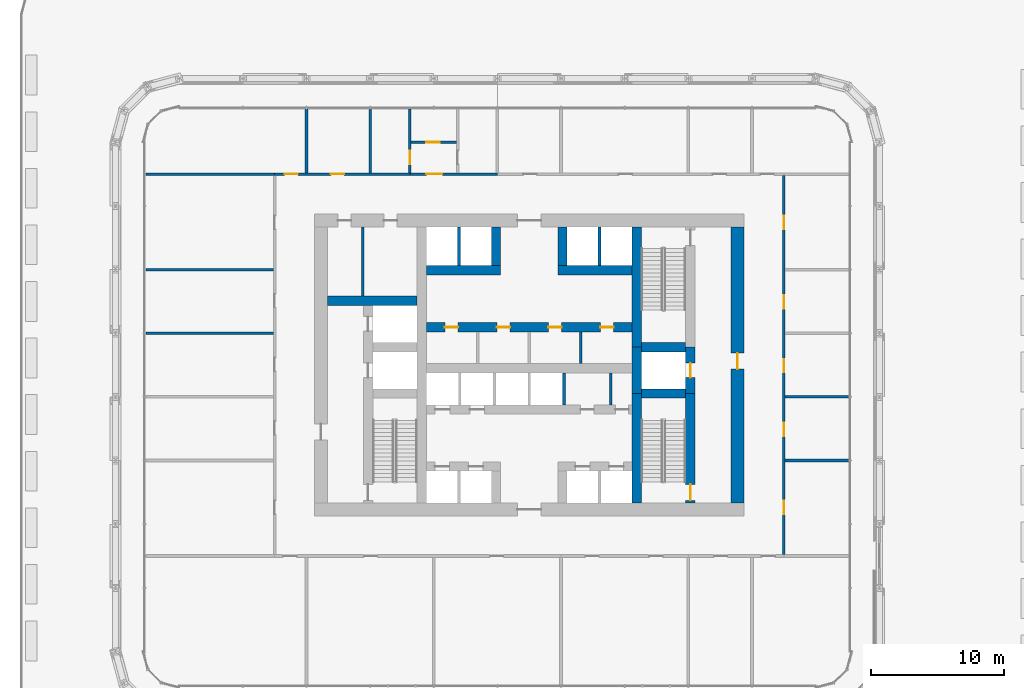
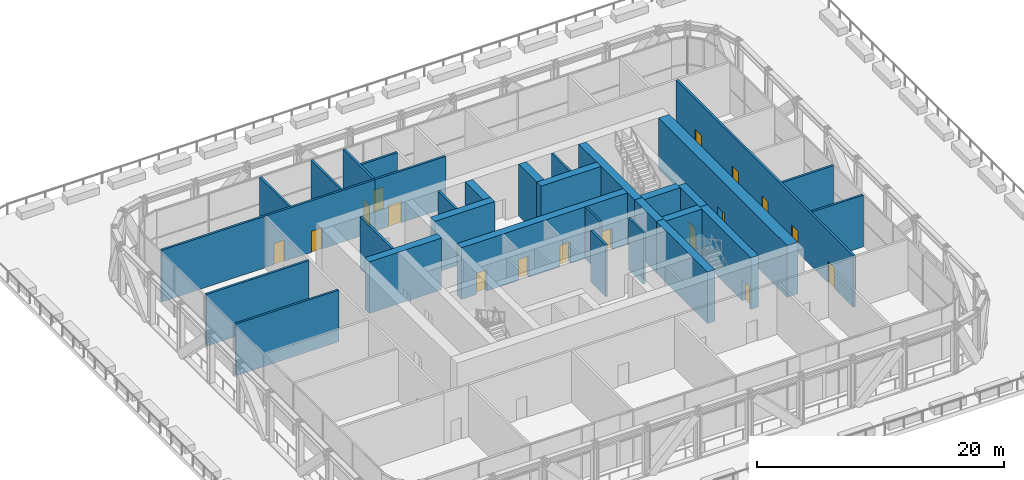
# One storey, part 15 of 22: 32 walls, 17 doors, 17 openings.
"""IFC4 building model written with IfcOpenShell, lengths in metres."""

from ifc_helpers import new_model, si_unit, direction, frame, frame_2d, origin, place, context, subcontext, project, spatial, rectangle, extrude, material, layer, layer_set, type_object, element, fill, save


model = new_model("IFC4")

# Units and contexts
model_context = context("Model", 3, precision=1e-05, world=origin(), true_north=direction((0.0, 1.0)))
body_context = subcontext(model_context, "Body", "Model", "MODEL_VIEW")
ifc_project = project(units=[si_unit("LENGTHUNIT", "METRE"), si_unit("AREAUNIT", "SQUARE_METRE"), si_unit("VOLUMEUNIT", "CUBIC_METRE"), si_unit("PLANEANGLEUNIT", "RADIAN"), si_unit("MASSUNIT", "GRAM", prefix="KILO")], contexts=[model_context])

# Site, building, storey
site_placement = place(None, origin())
site = spatial("IfcSite", under=ifc_project, at=site_placement, CompositionType="ELEMENT")
building_placement = place(site_placement, origin())
building = spatial("IfcBuilding", under=site, at=building_placement, Name="Madar Terraces", CompositionType="ELEMENT")
storey_placement = place(building_placement, frame((0.0, 0.0, 24.0)))
storey = spatial("IfcBuildingStorey", under=building, at=storey_placement, Name="L05", CompositionType="ELEMENT", Elevation=24.0)

# Walls
ifc_material_1 = material(Name="Concrete C80/95", Category="concrete")
ifc_layer_1 = layer(ifc_material_1, 0.699951171875)
ifc_layer_set_1 = layer_set([ifc_layer_1], Name="Concrete C80/95 (CIW1 RC wall 700)")
wall_type_1 = type_object("IfcWallType", Name="CIW1 RC wall 700", PredefinedType="SHEAR", material=ifc_layer_set_1)
wall_1_placement = place(storey_placement, frame((39.300048828125, 16.0, 0.0), z_axis=(0.0, 0.0, 1.0), x_axis=(0.0, 1.0, 0.0)))
element("IfcWall", 1, at=wall_1_placement, inside=storey, type_object=wall_type_1, Name="CORE SHAFT WALL", PredefinedType="SHEAR", context=body_context, shape_type="SweptSolid", body=[
    extrude(rectangle(XDim=8.25, YDim=0.699951171875, at=frame_2d((4.125, 0.0))), origin(), (0.0, 0.0, 1.0), 5.10009765625),
])
wall_2_placement = place(storey_placement, frame((39.300048828125, 24.25, 0.0), z_axis=(0.0, 0.0, 1.0), x_axis=(0.0, 1.0, 0.0)))
element("IfcWall", 2, at=wall_2_placement, inside=storey, type_object=wall_type_1, Name="CORE SHAFT WALL", PredefinedType="SHEAR", context=body_context, shape_type="SweptSolid", body=[
    extrude(rectangle(XDim=3.5, YDim=0.699951171875, at=frame_2d((1.75, 0.0))), origin(), (0.0, 0.0, 1.0), 5.10009765625),
])
wall_3_placement = place(storey_placement, frame((39.300048828125, 27.75, 0.0), z_axis=(0.0, 0.0, 1.0), x_axis=(0.0, 1.0, 0.0)))
element("IfcWall", 3, at=wall_3_placement, inside=storey, type_object=wall_type_1, Name="CORE SHAFT WALL", PredefinedType="SHEAR", context=body_context, shape_type="SweptSolid", body=[
    extrude(rectangle(XDim=9.050048828125, YDim=0.699951171875, at=frame_2d((4.52490234375, 0.0))), origin(), (0.0, 0.0, 1.0), 5.10009765625),
])

# Wall, opening, door
wall_4_placement = place(storey_placement, frame((43.35009765625, 16.0, 0.0), z_axis=(0.0, 0.0, 1.0), x_axis=(0.0, 1.0, 0.0)))
wall_4 = element("IfcWall", 4, at=wall_4_placement, inside=storey, type_object=wall_type_1, Name="CORE SHAFT WALL", PredefinedType="SHEAR", context=body_context, shape_type="SweptSolid", body=[
    extrude(rectangle(XDim=8.25, YDim=0.699951171875, at=frame_2d((4.125, 0.0))), origin(), (0.0, 0.0, 1.0), 5.10009765625),
])
opening_1_placement = place(wall_4_placement, frame((0.199951171875, 0.0, 0.0)))
opening_1 = element("IfcOpeningElement", 5, at=opening_1_placement, cuts=wall_4, Name="Opening SD1", PredefinedType="OPENING", context=body_context, shape_type="SweptSolid", body=[
    extrude(rectangle(XDim=1.199951171875, YDim=2.10009765625, at=frame_2d((0.60009765625, 1.050048828125))), frame((0.0, 0.35986328125, 0.0), z_axis=(0.0, -1.0, 0.0), x_axis=(1.0, 0.0, 0.0)), (0.0, 0.0, 1.0), 0.719970703125),
])
ifc_material_2 = material(Name="Steel door leaf", Category="steel")
door_type_1 = type_object("IfcDoorType", Name="Stair door 1200 x 2100", OperationType="NOTDEFINED", PredefinedType="DOOR", material=ifc_material_2)
door_1_placement = place(opening_1_placement, origin())
door_1 = element("IfcDoor", 6, at=door_1_placement, inside=storey, type_object=door_type_1, Name="STAIR DOOR", OperationType="SINGLE_SWING_RIGHT", OverallHeight=2.10009765625, OverallWidth=1.199951171875, PredefinedType="DOOR", context=body_context, shape_type="SweptSolid", body=[
    extrude(rectangle(XDim=1.199951171875, YDim=2.10009765625, at=frame_2d((0.60009765625, 1.050048828125))), frame((0.0, 0.02490234375, 0.0), z_axis=(0.0, -1.0, 0.0), x_axis=(1.0, 0.0, 0.0)), (0.0, 0.0, 1.0), 0.050048828125),
])
fill(opening_1, door_1)

wall_5_placement = place(storey_placement, frame((43.35009765625, 24.25, 0.0), z_axis=(0.0, 0.0, 1.0), x_axis=(0.0, 1.0, 0.0)))
wall_5 = element("IfcWall", 7, at=wall_5_placement, inside=storey, type_object=wall_type_1, Name="CORE SHAFT WALL", PredefinedType="SHEAR", context=body_context, shape_type="SweptSolid", body=[
    extrude(rectangle(XDim=3.5, YDim=0.699951171875, at=frame_2d((1.75, 0.0))), origin(), (0.0, 0.0, 1.0), 5.10009765625),
])
opening_2_placement = place(wall_5_placement, frame((1.199951171875, 0.0, 0.0)))
opening_2 = element("IfcOpeningElement", 8, at=opening_2_placement, cuts=wall_5, Name="Opening LD", PredefinedType="OPENING", context=body_context, shape_type="SweptSolid", body=[
    extrude(rectangle(XDim=1.10009765625, YDim=2.10009765625, at=frame_2d((0.550048828125, 1.050048828125))), frame((0.0, 0.35986328125, 0.0), z_axis=(0.0, -1.0, 0.0), x_axis=(1.0, 0.0, 0.0)), (0.0, 0.0, 1.0), 0.719970703125),
])
ifc_material_3 = material(Name="Stainless steel panel", Category="steel")
door_type_2 = type_object("IfcDoorType", Name="Lift landing door 1100 x 2100", OperationType="DOUBLE_DOOR_SLIDING", PredefinedType="DOOR", material=ifc_material_3)
door_2_placement = place(opening_2_placement, origin())
door_2 = element("IfcDoor", 9, at=door_2_placement, inside=storey, type_object=door_type_2, Name="LIFT LANDING DOOR", OperationType="DOUBLE_DOOR_SLIDING", OverallHeight=2.10009765625, OverallWidth=1.10009765625, PredefinedType="DOOR", context=body_context, shape_type="SweptSolid", body=[
    extrude(rectangle(XDim=1.10009765625, YDim=2.10009765625, at=frame_2d((0.550048828125, 1.050048828125))), frame((0.0, 0.02490234375, 0.0), z_axis=(0.0, -1.0, 0.0), x_axis=(1.0, 0.0, 0.0)), (0.0, 0.0, 1.0), 0.050048828125),
])
fill(opening_2, door_2)

# Walls
wall_6_placement = place(storey_placement, frame((16.0, 31.25, 0.0), z_axis=(0.0, 0.0, 1.0), x_axis=(1.0, 0.0, 0.0)))
element("IfcWall", 10, at=wall_6_placement, inside=storey, type_object=wall_type_1, Name="CORE SHAFT WALL", PredefinedType="SHEAR", context=body_context, shape_type="SweptSolid", body=[
    extrude(rectangle(XDim=6.75, YDim=0.699951171875, at=frame_2d((3.375, 0.0))), origin(), (0.0, 0.0, 1.0), 5.10009765625),
])
for number, where, z_axis, x_axis, name in (
    (11, (39.64990234375, 24.25, 0.0), (0.0, 0.0, 1.0), (1.0, 0.0, 0.0), "CORE SHAFT WALL"),
    (12, (39.64990234375, 27.75, 0.0), (0.0, 0.0, 1.0), (1.0, 0.0, 0.0), "CORE SHAFT WALL"),
):
    element("IfcWall", number, at=place(storey_placement, frame(where, z_axis=z_axis, x_axis=x_axis)), inside=storey, type_object=wall_type_1, Name=name, PredefinedType="SHEAR", context=body_context, shape_type="SweptSolid", body=[
        extrude(rectangle(XDim=3.35009765625, YDim=0.699951171875, at=frame_2d((1.675048828125, 0.0))), origin(), (0.0, 0.0, 1.0), 5.10009765625),
    ])

# Wall, openings, doors
wall_7_placement = place(storey_placement, frame((23.449951171875, 29.25, 0.0), z_axis=(0.0, 0.0, 1.0), x_axis=(1.0, 0.0, 0.0)))
wall_7 = element("IfcWall", 13, at=wall_7_placement, inside=storey, type_object=wall_type_1, Name="CORE SHAFT WALL", PredefinedType="SHEAR", context=body_context, shape_type="SweptSolid", body=[
    extrude(rectangle(XDim=15.5, YDim=0.699951171875, at=frame_2d((7.75, 0.0))), origin(), (0.0, 0.0, 1.0), 5.10009765625),
])
opening_3_placement = place(wall_7_placement, frame((1.387451171875, 0.0, 0.0)))
opening_3 = element("IfcOpeningElement", 14, at=opening_3_placement, cuts=wall_7, Name="Opening KD2", PredefinedType="OPENING", context=body_context, shape_type="SweptSolid", body=[
    extrude(rectangle(XDim=1.0, YDim=2.10009765625, at=frame_2d((0.5, 1.050048828125))), frame((0.0, 0.35986328125, 0.0), z_axis=(0.0, -1.0, 0.0), x_axis=(1.0, 0.0, 0.0)), (0.0, 0.0, 1.0), 0.719970703125),
])
opening_4_placement = place(wall_7_placement, frame((5.3125, 0.0, 0.0)))
opening_4 = element("IfcOpeningElement", 15, at=opening_4_placement, cuts=wall_7, Name="Opening KD2", PredefinedType="OPENING", context=body_context, shape_type="SweptSolid", body=[
    extrude(rectangle(XDim=1.0, YDim=2.10009765625, at=frame_2d((0.5, 1.050048828125))), frame((0.0, 0.35986328125, 0.0), z_axis=(0.0, -1.0, 0.0), x_axis=(1.0, 0.0, 0.0)), (0.0, 0.0, 1.0), 0.719970703125),
])
opening_5_placement = place(wall_7_placement, frame((9.1875, 0.0, 0.0)))
opening_5 = element("IfcOpeningElement", 16, at=opening_5_placement, cuts=wall_7, Name="Opening KD2", PredefinedType="OPENING", context=body_context, shape_type="SweptSolid", body=[
    extrude(rectangle(XDim=1.0, YDim=2.10009765625, at=frame_2d((0.5, 1.050048828125))), frame((0.0, 0.35986328125, 0.0), z_axis=(0.0, -1.0, 0.0), x_axis=(1.0, 0.0, 0.0)), (0.0, 0.0, 1.0), 0.719970703125),
])
opening_6_placement = place(wall_7_placement, frame((13.112548828125, 0.0, 0.0)))
opening_6 = element("IfcOpeningElement", 17, at=opening_6_placement, cuts=wall_7, Name="Opening KD2", PredefinedType="OPENING", context=body_context, shape_type="SweptSolid", body=[
    extrude(rectangle(XDim=1.0, YDim=2.10009765625, at=frame_2d((0.5, 1.050048828125))), frame((0.0, 0.35986328125, 0.0), z_axis=(0.0, -1.0, 0.0), x_axis=(1.0, 0.0, 0.0)), (0.0, 0.0, 1.0), 0.719970703125),
])
ifc_material_4 = material(Name="Steel door leaf", Category="steel")
door_type_3 = type_object("IfcDoorType", Name="Service room door 1000 x 2100", OperationType="NOTDEFINED", PredefinedType="DOOR", material=ifc_material_4)
door_3_placement = place(opening_3_placement, origin())
door_3 = element("IfcDoor", 18, at=door_3_placement, inside=storey, type_object=door_type_3, Name="SERVICE ROOM DOOR", OperationType="SINGLE_SWING_RIGHT", OverallHeight=2.10009765625, OverallWidth=1.0, PredefinedType="DOOR", context=body_context, shape_type="SweptSolid", body=[
    extrude(rectangle(XDim=1.0, YDim=2.10009765625, at=frame_2d((0.5, 1.050048828125))), frame((0.0, 0.02490234375, 0.0), z_axis=(0.0, -1.0, 0.0), x_axis=(1.0, 0.0, 0.0)), (0.0, 0.0, 1.0), 0.050048828125),
])
fill(opening_3, door_3)
door_4_placement = place(opening_4_placement, origin())
door_4 = element("IfcDoor", 19, at=door_4_placement, inside=storey, type_object=door_type_3, Name="SERVICE ROOM DOOR", OperationType="SINGLE_SWING_LEFT", OverallHeight=2.10009765625, OverallWidth=1.0, PredefinedType="DOOR", context=body_context, shape_type="SweptSolid", body=[
    extrude(rectangle(XDim=1.0, YDim=2.10009765625, at=frame_2d((0.5, 1.050048828125))), frame((0.0, 0.02490234375, 0.0), z_axis=(0.0, -1.0, 0.0), x_axis=(1.0, 0.0, 0.0)), (0.0, 0.0, 1.0), 0.050048828125),
])
fill(opening_4, door_4)
door_5_placement = place(opening_5_placement, origin())
door_5 = element("IfcDoor", 20, at=door_5_placement, inside=storey, type_object=door_type_3, Name="SERVICE ROOM DOOR", OperationType="SINGLE_SWING_RIGHT", OverallHeight=2.10009765625, OverallWidth=1.0, PredefinedType="DOOR", context=body_context, shape_type="SweptSolid", body=[
    extrude(rectangle(XDim=1.0, YDim=2.10009765625, at=frame_2d((0.5, 1.050048828125))), frame((0.0, 0.02490234375, 0.0), z_axis=(0.0, -1.0, 0.0), x_axis=(1.0, 0.0, 0.0)), (0.0, 0.0, 1.0), 0.050048828125),
])
fill(opening_5, door_5)
door_6_placement = place(opening_6_placement, origin())
door_6 = element("IfcDoor", 21, at=door_6_placement, inside=storey, type_object=door_type_3, Name="SERVICE ROOM DOOR", OperationType="SINGLE_SWING_LEFT", OverallHeight=2.10009765625, OverallWidth=1.0, PredefinedType="DOOR", context=body_context, shape_type="SweptSolid", body=[
    extrude(rectangle(XDim=1.0, YDim=2.10009765625, at=frame_2d((0.5, 1.050048828125))), frame((0.0, 0.02490234375, 0.0), z_axis=(0.0, -1.0, 0.0), x_axis=(1.0, 0.0, 0.0)), (0.0, 0.0, 1.0), 0.050048828125),
])
fill(opening_6, door_6)

# Walls
wall_8_placement = place(storey_placement, frame((23.449951171875, 33.550048828125, 0.0), z_axis=(0.0, 0.0, 1.0), x_axis=(1.0, 0.0, 0.0)))
element("IfcWall", 22, at=wall_8_placement, inside=storey, type_object=wall_type_1, Name="CORE SHAFT WALL", PredefinedType="SHEAR", context=body_context, shape_type="SweptSolid", body=[
    extrude(rectangle(XDim=5.60009765625, YDim=0.699951171875, at=frame_2d((2.800048828125, 0.0))), origin(), (0.0, 0.0, 1.0), 5.10009765625),
])
wall_9_placement = place(storey_placement, frame((33.35009765625, 33.550048828125, 0.0), z_axis=(0.0, 0.0, 1.0), x_axis=(1.0, 0.0, 0.0)))
element("IfcWall", 23, at=wall_9_placement, inside=storey, type_object=wall_type_1, Name="CORE SHAFT WALL", PredefinedType="SHEAR", context=body_context, shape_type="SweptSolid", body=[
    extrude(rectangle(XDim=5.599853515625, YDim=0.699951171875, at=frame_2d((2.7998046875, 0.0))), origin(), (0.0, 0.0, 1.0), 5.10009765625),
])
for number, where, z_axis, x_axis, name in (
    (24, (28.699951171875, 33.89990234375, 0.0), (0.0, 0.0, 1.0), (0.0, 1.0, 0.0), "CORE SHAFT WALL"),
    (25, (33.699951171875, 33.89990234375, 0.0), (0.0, 0.0, 1.0), (0.0, 1.0, 0.0), "CORE SHAFT WALL"),
):
    element("IfcWall", number, at=place(storey_placement, frame(where, z_axis=z_axis, x_axis=x_axis)), inside=storey, type_object=wall_type_1, Name=name, PredefinedType="SHEAR", context=body_context, shape_type="SweptSolid", body=[
        extrude(rectangle(XDim=2.900146484375, YDim=0.699951171875, at=frame_2d((1.4501953125, 0.0))), origin(), (0.0, 0.0, 1.0), 5.10009765625),
    ])

# Wall, opening, door
ifc_material_5 = material(Name="Concrete C80/95", Category="concrete")
ifc_layer_2 = layer(ifc_material_5, 1.0)
ifc_layer_set_2 = layer_set([ifc_layer_2], Name="Concrete C80/95 (CRW1 RC wall 1000)")
wall_type_2 = type_object("IfcWallType", Name="CRW1 RC wall 1000", PredefinedType="SHEAR", material=ifc_layer_set_2)
wall_10_placement = place(storey_placement, frame((46.89990234375, 16.0, 0.0), z_axis=(0.0, 0.0, 1.0), x_axis=(0.0, 1.0, 0.0)))
wall_10 = element("IfcWall", 26, at=wall_10_placement, inside=storey, type_object=wall_type_2, Name="CORE OUTER WALL", PredefinedType="SHEAR", context=body_context, shape_type="SweptSolid", body=[
    extrude(rectangle(XDim=20.800048828125, YDim=1.0, at=frame_2d((10.39990234375, 0.0))), origin(), (0.0, 0.0, 1.0), 5.10009765625),
])
opening_7_placement = place(wall_10_placement, frame((10.10009765625, 0.0, 0.0)))
opening_7 = element("IfcOpeningElement", 27, at=opening_7_placement, cuts=wall_10, Name="Opening SD1", PredefinedType="OPENING", context=body_context, shape_type="SweptSolid", body=[
    extrude(rectangle(XDim=1.199951171875, YDim=2.10009765625, at=frame_2d((0.60009765625, 1.050048828125))), frame((0.0, 0.510009765625, 0.0), z_axis=(0.0, -1.0, 0.0), x_axis=(1.0, 0.0, 0.0)), (0.0, 0.0, 1.0), 1.02001953125),
])
door_7_placement = place(opening_7_placement, origin())
door_7 = element("IfcDoor", 28, at=door_7_placement, inside=storey, type_object=door_type_1, Name="STAIR DOOR", OperationType="SINGLE_SWING_LEFT", OverallHeight=2.10009765625, OverallWidth=1.199951171875, PredefinedType="DOOR", context=body_context, shape_type="SweptSolid", body=[
    extrude(rectangle(XDim=1.199951171875, YDim=2.10009765625, at=frame_2d((0.60009765625, 1.050048828125))), frame((0.0, 0.02490234375, 0.0), z_axis=(0.0, -1.0, 0.0), x_axis=(1.0, 0.0, 0.0)), (0.0, 0.0, 1.0), 0.050048828125),
])
fill(opening_7, door_7)

# Walls
ifc_material_6 = material(Name="Masonry blockwork", Category="masonry")
ifc_layer_3 = layer(ifc_material_6, 0.199951171875)
ifc_layer_set_3 = layer_set([ifc_layer_3], Name="Core partition 200 blockwork")
wall_type_3 = type_object("IfcWallType", Name="Core partition 200 blockwork", PredefinedType="PARTITIONING", material=ifc_layer_set_3)
wall_11_placement = place(storey_placement, frame((18.632568359375, 31.60009765625, 0.0), z_axis=(0.0, 0.0, 1.0), x_axis=(0.0, 1.0, 0.0)))
element("IfcWall", 29, at=wall_11_placement, inside=storey, type_object=wall_type_3, Name="SERVICE ROOM PARTITION", PredefinedType="PARTITIONING", context=body_context, shape_type="SweptSolid", body=[
    extrude(rectangle(XDim=5.199951171875, YDim=0.199951171875, at=frame_2d((2.60009765625, 0.0))), origin(), (0.0, 0.0, 1.0), 5.10009765625),
])
wall_12_placement = place(storey_placement, frame((37.33935546875, 23.39990234375, 0.0), z_axis=(0.0, 0.0, 1.0), x_axis=(0.0, 1.0, 0.0)))
element("IfcWall", 30, at=wall_12_placement, inside=storey, type_object=wall_type_3, Name="SERVICE ROOM PARTITION", PredefinedType="PARTITIONING", context=body_context, shape_type="SweptSolid", body=[
    extrude(rectangle(XDim=2.400146484375, YDim=0.199951171875, at=frame_2d((1.2001953125, 0.0))), origin(), (0.0, 0.0, 1.0), 5.10009765625),
])
wall_13_placement = place(storey_placement, frame((35.074951171875, 26.5, 0.0), z_axis=(0.0, 0.0, 1.0), x_axis=(0.0, 1.0, 0.0)))
element("IfcWall", 31, at=wall_13_placement, inside=storey, type_object=wall_type_3, Name="SERVICE ROOM PARTITION", PredefinedType="PARTITIONING", context=body_context, shape_type="SweptSolid", body=[
    extrude(rectangle(XDim=2.39990234375, YDim=0.199951171875, at=frame_2d((1.199951171875, 0.0))), origin(), (0.0, 0.0, 1.0), 5.10009765625),
])
ifc_material_7 = material(Name="Concrete C40/50", Category="concrete")
ifc_layer_4 = layer(ifc_material_7, 0.199951171875)
ifc_layer_set_4 = layer_set([ifc_layer_4], Name="Core shaft dividing wall 200 C40/50")
wall_type_4 = type_object("IfcWallType", Name="Core shaft dividing wall 200 C40/50", PredefinedType="SOLIDWALL", material=ifc_layer_set_4)
wall_14_placement = place(storey_placement, frame((33.816650390625, 23.39990234375, 0.0), z_axis=(0.0, 0.0, 1.0), x_axis=(0.0, 1.0, 0.0)))
element("IfcWall", 32, at=wall_14_placement, inside=storey, type_object=wall_type_4, Name="SHAFT DIVIDING WALL", PredefinedType="SOLIDWALL", context=body_context, shape_type="SweptSolid", body=[
    extrude(rectangle(XDim=2.400146484375, YDim=0.199951171875, at=frame_2d((1.2001953125, 0.0))), origin(), (0.0, 0.0, 1.0), 5.10009765625),
])
for number, where, z_axis, x_axis, name in (
    (33, (25.89990234375, 33.89990234375, 0.0), (0.0, 0.0, 1.0), (0.0, 1.0, 0.0), "SHAFT DIVIDING WALL"),
    (34, (36.5, 33.89990234375, 0.0), (0.0, 0.0, 1.0), (0.0, 1.0, 0.0), "SHAFT DIVIDING WALL"),
):
    element("IfcWall", number, at=place(storey_placement, frame(where, z_axis=z_axis, x_axis=x_axis)), inside=storey, type_object=wall_type_4, Name=name, PredefinedType="SOLIDWALL", context=body_context, shape_type="SweptSolid", body=[
        extrude(rectangle(XDim=2.900146484375, YDim=0.199951171875, at=frame_2d((1.4501953125, 0.0))), origin(), (0.0, 0.0, 1.0), 5.10009765625),
    ])
ifc_material_8 = material(Name="Gypsum board partition, fire-rated")
ifc_layer_5 = layer(ifc_material_8, 0.199951171875)
ifc_layer_set_5 = layer_set([ifc_layer_5], Name="Partition 200 EI 60")
wall_type_5 = type_object("IfcWallType", Name="Partition 200 EI 60", PredefinedType="PARTITIONING", material=ifc_layer_set_5)
for number, where, z_axis, x_axis, name in (
    (35, (50.5, 19.199951171875, 0.0), (0.0, 0.0, 1.0), (1.0, 0.0, 0.0), "Wall STAFF ROOM / FIRST AID ROOM"),
    (36, (50.5, 24.0, 0.0), (0.0, 0.0, 1.0), (1.0, 0.0, 0.0), "Wall FIRST AID ROOM / OFFICE"),
):
    element("IfcWall", number, at=place(storey_placement, frame(where, z_axis=z_axis, x_axis=x_axis)), inside=storey, type_object=wall_type_5, Name=name, PredefinedType="PARTITIONING", context=body_context, shape_type="SweptSolid", body=[
        extrude(rectangle(XDim=4.800048828125, YDim=0.199951171875, at=frame_2d((2.39990234375, 0.0))), origin(), (0.0, 0.0, 1.0), 5.10009765625),
    ])
for number, where, z_axis, x_axis, name in (
    (37, (2.300048828125, 28.800048828125, 0.0), (0.0, 0.0, 1.0), (1.0, 0.0, 0.0), "Wall ACTIVITY ROOM / COMPUTER ROOM"),
    (38, (2.300048828125, 33.60009765625, 0.0), (0.0, 0.0, 1.0), (1.0, 0.0, 0.0), "Wall COMPUTER ROOM / OFFICE"),
):
    element("IfcWall", number, at=place(storey_placement, frame(where, z_axis=z_axis, x_axis=x_axis)), inside=storey, type_object=wall_type_5, Name=name, PredefinedType="PARTITIONING", context=body_context, shape_type="SweptSolid", body=[
        extrude(rectangle(XDim=9.599853515625, YDim=0.199951171875, at=frame_2d((4.7998046875, 0.0))), origin(), (0.0, 0.0, 1.0), 5.10009765625),
    ])
wall_15_placement = place(storey_placement, frame((2.300048828125, 40.800048828125, 0.0), z_axis=(0.0, 0.0, 1.0), x_axis=(1.0, 0.0, 0.0)))
element("IfcWall", 39, at=wall_15_placement, inside=storey, type_object=wall_type_5, Name="Wall OFFICE / STAFF ROOM", PredefinedType="PARTITIONING", context=body_context, shape_type="SweptSolid", body=[
    extrude(rectangle(XDim=9.699951171875, YDim=0.199951171875, at=frame_2d((4.85009765625, 0.0))), origin(), (0.0, 0.0, 1.0), 5.10009765625),
])

# Wall, openings, doors
wall_16_placement = place(storey_placement, frame((12.0, 40.800048828125, 0.0), z_axis=(0.0, 0.0, 1.0), x_axis=(1.0, 0.0, 0.0)))
wall_16 = element("IfcWall", 40, at=wall_16_placement, inside=storey, type_object=wall_type_5, Name="Wall HOBBY ROOM + STAFF ROOM", PredefinedType="PARTITIONING", context=body_context, shape_type="SweptSolid", body=[
    extrude(rectangle(XDim=10.199951171875, YDim=0.199951171875, at=frame_2d((5.10009765625, 0.0))), origin(), (0.0, 0.0, 1.0), 5.10009765625),
])
opening_8_placement = place(wall_16_placement, frame((0.75, 0.0, 0.0)))
opening_8 = element("IfcOpeningElement", 41, at=opening_8_placement, cuts=wall_16, Name="Opening D31", PredefinedType="OPENING", context=body_context, shape_type="SweptSolid", body=[
    extrude(rectangle(XDim=1.0, YDim=2.10009765625, at=frame_2d((0.5, 1.050048828125))), frame((0.0, 0.10986328125, 0.0), z_axis=(0.0, -1.0, 0.0), x_axis=(1.0, 0.0, 0.0)), (0.0, 0.0, 1.0), 0.219970703125),
])
opening_9_placement = place(wall_16_placement, frame((4.25, 0.0, 0.0)))
opening_9 = element("IfcOpeningElement", 42, at=opening_9_placement, cuts=wall_16, Name="Opening D31", PredefinedType="OPENING", context=body_context, shape_type="SweptSolid", body=[
    extrude(rectangle(XDim=1.0, YDim=2.10009765625, at=frame_2d((0.5, 1.050048828125))), frame((0.0, 0.10986328125, 0.0), z_axis=(0.0, -1.0, 0.0), x_axis=(1.0, 0.0, 0.0)), (0.0, 0.0, 1.0), 0.219970703125),
])
ifc_material_9 = material(Name="Timber door leaf, fire-rated", Category="wood")
door_type_4 = type_object("IfcDoorType", Name="Podium door 1000 x 2100 FD30S", OperationType="NOTDEFINED", PredefinedType="DOOR", material=ifc_material_9)
door_8_placement = place(opening_8_placement, origin())
door_8 = element("IfcDoor", 43, at=door_8_placement, inside=storey, type_object=door_type_4, Name="Door STAFF ROOM / RING CORRIDOR", OperationType="SINGLE_SWING_RIGHT", OverallHeight=2.10009765625, OverallWidth=1.0, PredefinedType="DOOR", context=body_context, shape_type="SweptSolid", body=[
    extrude(rectangle(XDim=1.0, YDim=2.10009765625, at=frame_2d((0.5, 1.050048828125))), frame((0.0, 0.02490234375, 0.0), z_axis=(0.0, -1.0, 0.0), x_axis=(1.0, 0.0, 0.0)), (0.0, 0.0, 1.0), 0.050048828125),
])
fill(opening_8, door_8)
door_9_placement = place(opening_9_placement, origin())
door_9 = element("IfcDoor", 44, at=door_9_placement, inside=storey, type_object=door_type_4, Name="Door HOBBY ROOM / RING CORRIDOR", OperationType="SINGLE_SWING_LEFT", OverallHeight=2.10009765625, OverallWidth=1.0, PredefinedType="DOOR", context=body_context, shape_type="SweptSolid", body=[
    extrude(rectangle(XDim=1.0, YDim=2.10009765625, at=frame_2d((0.5, 1.050048828125))), frame((0.0, 0.02490234375, 0.0), z_axis=(0.0, -1.0, 0.0), x_axis=(1.0, 0.0, 0.0)), (0.0, 0.0, 1.0), 0.050048828125),
])
fill(opening_9, door_9)

# Wall, opening, door
wall_17_placement = place(storey_placement, frame((28.800048828125, 40.800048828125, 0.0), z_axis=(0.0, 0.0, 1.0), x_axis=(-1.0, 0.0, 0.0)))
wall_17 = element("IfcWall", 45, at=wall_17_placement, inside=storey, type_object=wall_type_5, Name="Wall WC LOBBY + WC WOMEN", PredefinedType="PARTITIONING", context=body_context, shape_type="SweptSolid", body=[
    extrude(rectangle(XDim=6.60009765625, YDim=0.199951171875, at=frame_2d((3.300048828125, 0.0))), origin(), (0.0, 0.0, 1.0), 5.10009765625),
])
opening_10_placement = place(wall_17_placement, frame((4.14990234375, 0.0, 0.0)))
opening_10 = element("IfcOpeningElement", 46, at=opening_10_placement, cuts=wall_17, Name="Opening D32", PredefinedType="OPENING", context=body_context, shape_type="SweptSolid", body=[
    extrude(rectangle(XDim=1.199951171875, YDim=2.10009765625, at=frame_2d((0.60009765625, 1.050048828125))), frame((0.0, 0.10986328125, 0.0), z_axis=(0.0, -1.0, 0.0), x_axis=(1.0, 0.0, 0.0)), (0.0, 0.0, 1.0), 0.219970703125),
])
ifc_material_10 = material(Name="Timber door leaf, fire-rated", Category="wood")
door_type_5 = type_object("IfcDoorType", Name="Podium door 1200 x 2100 FD30S", OperationType="NOTDEFINED", PredefinedType="DOOR", material=ifc_material_10)
door_10_placement = place(opening_10_placement, origin())
door_10 = element("IfcDoor", 47, at=door_10_placement, inside=storey, type_object=door_type_5, Name="Door WC LOBBY / RING CORRIDOR", OperationType="SINGLE_SWING_LEFT", OverallHeight=2.10009765625, OverallWidth=1.199951171875, PredefinedType="DOOR", context=body_context, shape_type="SweptSolid", body=[
    extrude(rectangle(XDim=1.199951171875, YDim=2.10009765625, at=frame_2d((0.60009765625, 1.050048828125))), frame((0.0, 0.02490234375, 0.0), z_axis=(0.0, -1.0, 0.0), x_axis=(1.0, 0.0, 0.0)), (0.0, 0.0, 1.0), 0.050048828125),
])
fill(opening_10, door_10)

wall_18_placement = place(storey_placement, frame((22.300048828125, 43.199951171875, 0.0), z_axis=(0.0, 0.0, 1.0), x_axis=(1.0, 0.0, 0.0)))
wall_18 = element("IfcWall", 48, at=wall_18_placement, inside=storey, type_object=wall_type_5, Name="Wall WC LOBBY / ACCESSIBLE WC", PredefinedType="PARTITIONING", context=body_context, shape_type="SweptSolid", body=[
    extrude(rectangle(XDim=3.39990234375, YDim=0.199951171875, at=frame_2d((1.699951171875, 0.0))), origin(), (0.0, 0.0, 1.0), 5.10009765625),
])
opening_11_placement = place(wall_18_placement, frame((1.14990234375, 0.0, 0.0)))
opening_11 = element("IfcOpeningElement", 49, at=opening_11_placement, cuts=wall_18, Name="Opening D31", PredefinedType="OPENING", context=body_context, shape_type="SweptSolid", body=[
    extrude(rectangle(XDim=1.0, YDim=2.10009765625, at=frame_2d((0.5, 1.050048828125))), frame((0.0, 0.10986328125, 0.0), z_axis=(0.0, -1.0, 0.0), x_axis=(1.0, 0.0, 0.0)), (0.0, 0.0, 1.0), 0.219970703125),
])
door_11_placement = place(opening_11_placement, origin())
door_11 = element("IfcDoor", 50, at=door_11_placement, inside=storey, type_object=door_type_4, Name="Door WC LOBBY / ACCESSIBLE WC", OperationType="SINGLE_SWING_LEFT", OverallHeight=2.10009765625, OverallWidth=1.0, PredefinedType="DOOR", context=body_context, shape_type="SweptSolid", body=[
    extrude(rectangle(XDim=1.0, YDim=2.10009765625, at=frame_2d((0.5, 1.050048828125))), frame((0.0, 0.02490234375, 0.0), z_axis=(0.0, -1.0, 0.0), x_axis=(1.0, 0.0, 0.0)), (0.0, 0.0, 1.0), 0.050048828125),
])
fill(opening_11, door_11)

# Walls
for number, where, z_axis, x_axis, name in (
    (51, (14.39990234375, 40.89990234375, 0.0), (0.0, 0.0, 1.0), (0.0, 1.0, 0.0), "Wall STAFF ROOM / HOBBY ROOM"),
    (52, (19.199951171875, 40.89990234375, 0.0), (0.0, 0.0, 1.0), (0.0, 1.0, 0.0), "Wall HOBBY ROOM / WC MEN"),
):
    element("IfcWall", number, at=place(storey_placement, frame(where, z_axis=z_axis, x_axis=x_axis)), inside=storey, type_object=wall_type_5, Name=name, PredefinedType="PARTITIONING", context=body_context, shape_type="SweptSolid", body=[
        extrude(rectangle(XDim=4.800048828125, YDim=0.199951171875, at=frame_2d((2.39990234375, 0.0))), origin(), (0.0, 0.0, 1.0), 5.10009765625),
    ])

# Wall, opening, door
wall_19_placement = place(storey_placement, frame((22.199951171875, 40.89990234375, 0.0), z_axis=(0.0, 0.0, 1.0), x_axis=(0.0, 1.0, 0.0)))
wall_19 = element("IfcWall", 53, at=wall_19_placement, inside=storey, type_object=wall_type_5, Name="Wall WC MEN", PredefinedType="PARTITIONING", context=body_context, shape_type="SweptSolid", body=[
    extrude(rectangle(XDim=4.800048828125, YDim=0.199951171875, at=frame_2d((2.39990234375, 0.0))), origin(), (0.0, 0.0, 1.0), 5.10009765625),
])
opening_12_placement = place(wall_19_placement, frame((0.64990234375, 0.0, 0.0)))
opening_12 = element("IfcOpeningElement", 54, at=opening_12_placement, cuts=wall_19, Name="Opening D31", PredefinedType="OPENING", context=body_context, shape_type="SweptSolid", body=[
    extrude(rectangle(XDim=1.0, YDim=2.10009765625, at=frame_2d((0.5, 1.050048828125))), frame((0.0, 0.10986328125, 0.0), z_axis=(0.0, -1.0, 0.0), x_axis=(1.0, 0.0, 0.0)), (0.0, 0.0, 1.0), 0.219970703125),
])
door_12_placement = place(opening_12_placement, origin())
door_12 = element("IfcDoor", 55, at=door_12_placement, inside=storey, type_object=door_type_4, Name="Door WC MEN / WC LOBBY", OperationType="SINGLE_SWING_LEFT", OverallHeight=2.10009765625, OverallWidth=1.0, PredefinedType="DOOR", context=body_context, shape_type="SweptSolid", body=[
    extrude(rectangle(XDim=1.0, YDim=2.10009765625, at=frame_2d((0.5, 1.050048828125))), frame((0.0, 0.02490234375, 0.0), z_axis=(0.0, -1.0, 0.0), x_axis=(1.0, 0.0, 0.0)), (0.0, 0.0, 1.0), 0.050048828125),
])
fill(opening_12, door_12)

# Wall, openings, doors
wall_20_placement = place(storey_placement, frame((50.39990234375, 40.699951171875, 0.0), z_axis=(0.0, 0.0, 1.0), x_axis=(0.0, -1.0, 0.0)))
wall_20 = element("IfcWall", 56, at=wall_20_placement, inside=storey, type_object=wall_type_5, Name="Wall FIRST AID ROOM + GAMES ROOM", PredefinedType="PARTITIONING", context=body_context, shape_type="SweptSolid", body=[
    extrude(rectangle(XDim=28.599853515625, YDim=0.199951171875, at=frame_2d((14.2998046875, 0.0))), origin(), (0.0, 0.0, 1.0), 5.10009765625),
])
opening_13_placement = place(wall_20_placement, frame((24.550048828125, 0.0, 0.0)))
opening_13 = element("IfcOpeningElement", 57, at=opening_13_placement, cuts=wall_20, Name="Opening D31", PredefinedType="OPENING", context=body_context, shape_type="SweptSolid", body=[
    extrude(rectangle(XDim=1.0, YDim=2.10009765625, at=frame_2d((0.5, 1.050048828125))), frame((0.0, 0.10986328125, 0.0), z_axis=(0.0, -1.0, 0.0), x_axis=(1.0, 0.0, 0.0)), (0.0, 0.0, 1.0), 0.219970703125),
])
opening_14_placement = place(wall_20_placement, frame((18.64990234375, 0.0, 0.0)))
opening_14 = element("IfcOpeningElement", 58, at=opening_14_placement, cuts=wall_20, Name="Opening D31", PredefinedType="OPENING", context=body_context, shape_type="SweptSolid", body=[
    extrude(rectangle(XDim=1.0, YDim=2.10009765625, at=frame_2d((0.5, 1.050048828125))), frame((0.0, 0.10986328125, 0.0), z_axis=(0.0, -1.0, 0.0), x_axis=(1.0, 0.0, 0.0)), (0.0, 0.0, 1.0), 0.219970703125),
])
opening_15_placement = place(wall_20_placement, frame((13.85009765625, 0.0, 0.0)))
opening_15 = element("IfcOpeningElement", 59, at=opening_15_placement, cuts=wall_20, Name="Opening D31", PredefinedType="OPENING", context=body_context, shape_type="SweptSolid", body=[
    extrude(rectangle(XDim=1.0, YDim=2.10009765625, at=frame_2d((0.5, 1.050048828125))), frame((0.0, 0.10986328125, 0.0), z_axis=(0.0, -1.0, 0.0), x_axis=(1.0, 0.0, 0.0)), (0.0, 0.0, 1.0), 0.219970703125),
])
opening_16_placement = place(wall_20_placement, frame((9.050048828125, 0.0, 0.0)))
opening_16 = element("IfcOpeningElement", 60, at=opening_16_placement, cuts=wall_20, Name="Opening D31", PredefinedType="OPENING", context=body_context, shape_type="SweptSolid", body=[
    extrude(rectangle(XDim=1.0, YDim=2.10009765625, at=frame_2d((0.5, 1.050048828125))), frame((0.0, 0.10986328125, 0.0), z_axis=(0.0, -1.0, 0.0), x_axis=(1.0, 0.0, 0.0)), (0.0, 0.0, 1.0), 0.219970703125),
])
opening_17_placement = place(wall_20_placement, frame((3.050048828125, 0.0, 0.0)))
opening_17 = element("IfcOpeningElement", 61, at=opening_17_placement, cuts=wall_20, Name="Opening D31", PredefinedType="OPENING", context=body_context, shape_type="SweptSolid", body=[
    extrude(rectangle(XDim=1.0, YDim=2.10009765625, at=frame_2d((0.5, 1.050048828125))), frame((0.0, 0.10986328125, 0.0), z_axis=(0.0, -1.0, 0.0), x_axis=(1.0, 0.0, 0.0)), (0.0, 0.0, 1.0), 0.219970703125),
])
door_13_placement = place(opening_13_placement, origin())
door_13 = element("IfcDoor", 62, at=door_13_placement, inside=storey, type_object=door_type_4, Name="Door STAFF ROOM / RING CORRIDOR", OperationType="SINGLE_SWING_RIGHT", OverallHeight=2.10009765625, OverallWidth=1.0, PredefinedType="DOOR", context=body_context, shape_type="SweptSolid", body=[
    extrude(rectangle(XDim=1.0, YDim=2.10009765625, at=frame_2d((0.5, 1.050048828125))), frame((0.0, 0.02490234375, 0.0), z_axis=(0.0, -1.0, 0.0), x_axis=(1.0, 0.0, 0.0)), (0.0, 0.0, 1.0), 0.050048828125),
])
fill(opening_13, door_13)
door_14_placement = place(opening_14_placement, origin())
door_14 = element("IfcDoor", 63, at=door_14_placement, inside=storey, type_object=door_type_4, Name="Door FIRST AID ROOM / RING CORRIDOR", OperationType="SINGLE_SWING_RIGHT", OverallHeight=2.10009765625, OverallWidth=1.0, PredefinedType="DOOR", context=body_context, shape_type="SweptSolid", body=[
    extrude(rectangle(XDim=1.0, YDim=2.10009765625, at=frame_2d((0.5, 1.050048828125))), frame((0.0, 0.02490234375, 0.0), z_axis=(0.0, -1.0, 0.0), x_axis=(1.0, 0.0, 0.0)), (0.0, 0.0, 1.0), 0.050048828125),
])
fill(opening_14, door_14)
door_15_placement = place(opening_15_placement, origin())
door_15 = element("IfcDoor", 64, at=door_15_placement, inside=storey, type_object=door_type_4, Name="Door OFFICE / RING CORRIDOR", OperationType="SINGLE_SWING_RIGHT", OverallHeight=2.10009765625, OverallWidth=1.0, PredefinedType="DOOR", context=body_context, shape_type="SweptSolid", body=[
    extrude(rectangle(XDim=1.0, YDim=2.10009765625, at=frame_2d((0.5, 1.050048828125))), frame((0.0, 0.02490234375, 0.0), z_axis=(0.0, -1.0, 0.0), x_axis=(1.0, 0.0, 0.0)), (0.0, 0.0, 1.0), 0.050048828125),
])
fill(opening_15, door_15)
door_16_placement = place(opening_16_placement, origin())
door_16 = element("IfcDoor", 65, at=door_16_placement, inside=storey, type_object=door_type_4, Name="Door GAMES ROOM / RING CORRIDOR", OperationType="SINGLE_SWING_RIGHT", OverallHeight=2.10009765625, OverallWidth=1.0, PredefinedType="DOOR", context=body_context, shape_type="SweptSolid", body=[
    extrude(rectangle(XDim=1.0, YDim=2.10009765625, at=frame_2d((0.5, 1.050048828125))), frame((0.0, 0.02490234375, 0.0), z_axis=(0.0, -1.0, 0.0), x_axis=(1.0, 0.0, 0.0)), (0.0, 0.0, 1.0), 0.050048828125),
])
fill(opening_16, door_16)
door_17_placement = place(opening_17_placement, origin())
door_17 = element("IfcDoor", 66, at=door_17_placement, inside=storey, type_object=door_type_4, Name="Door WORKSHOP / RING CORRIDOR", OperationType="SINGLE_SWING_RIGHT", OverallHeight=2.10009765625, OverallWidth=1.0, PredefinedType="DOOR", context=body_context, shape_type="SweptSolid", body=[
    extrude(rectangle(XDim=1.0, YDim=2.10009765625, at=frame_2d((0.5, 1.050048828125))), frame((0.0, 0.02490234375, 0.0), z_axis=(0.0, -1.0, 0.0), x_axis=(1.0, 0.0, 0.0)), (0.0, 0.0, 1.0), 0.050048828125),
])
fill(opening_17, door_17)

save(model, "model.ifc")
